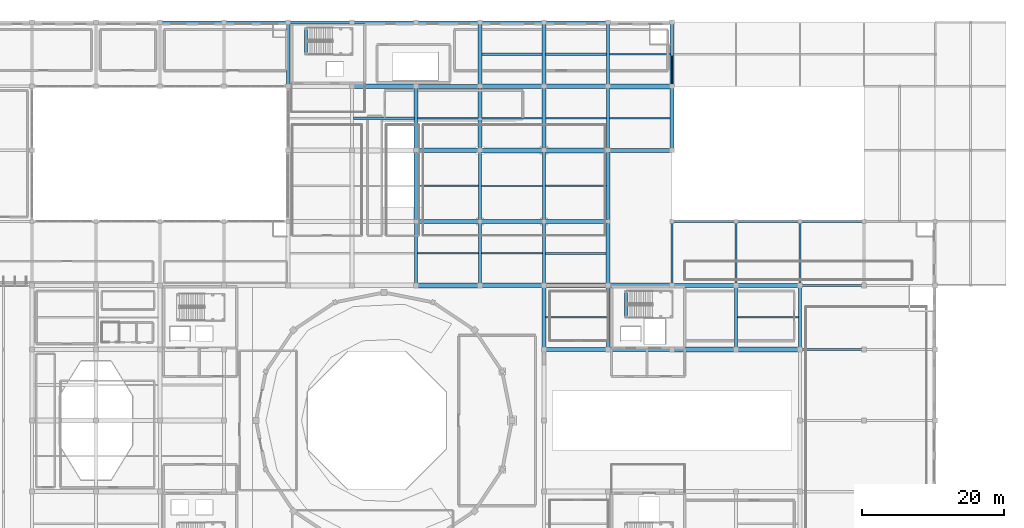
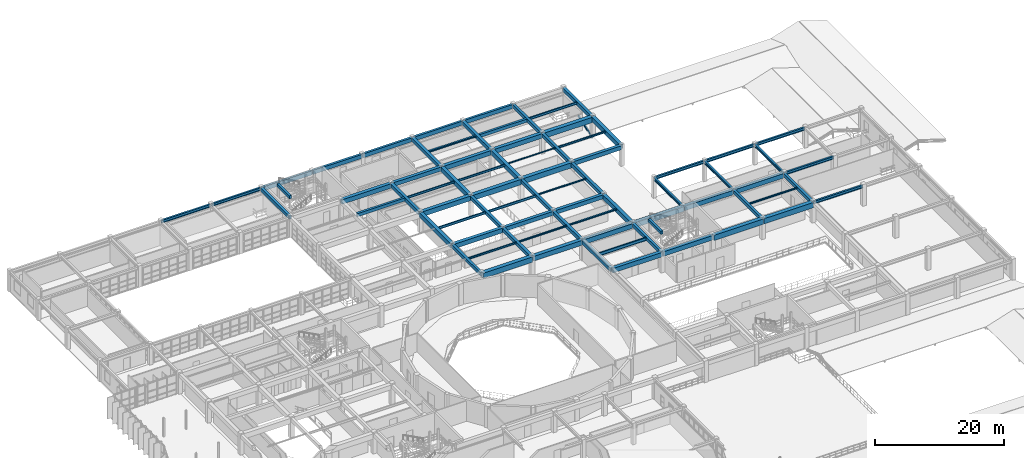
# One storey, part 70 of 110: 77 beams, 1 member.
"""IFC4 building model written with IfcOpenShell, lengths in metres."""

from ifc_helpers import new_model, si_unit, direction, frame, origin, origin_2d, place, context, subcontext, project, spatial, rectangle, i_section, extrude, material, material_profile, profile_set, type_object, element, save


model = new_model("IFC4")

# Units and contexts
model_context = context("Model", 3, precision=1e-05, world=origin(), true_north=direction((0.0, 1.0)))
body_context = subcontext(model_context, "Body", "Model", "MODEL_VIEW")
ifc_project = project(units=[si_unit("LENGTHUNIT", "METRE"), si_unit("AREAUNIT", "SQUARE_METRE"), si_unit("VOLUMEUNIT", "CUBIC_METRE"), si_unit("PLANEANGLEUNIT", "RADIAN"), si_unit("MASSUNIT", "GRAM", prefix="KILO")], contexts=[model_context])

# Site, building, storey
site_placement = place(None, origin())
site = spatial("IfcSite", under=ifc_project, at=site_placement, CompositionType="ELEMENT")
building_placement = place(site_placement, origin())
building = spatial("IfcBuilding", under=site, at=building_placement, Name="Miravela Opera House", CompositionType="ELEMENT")
storey_placement = place(building_placement, frame((0.0, 0.0, 13.60009765625)))
storey = spatial("IfcBuildingStorey", under=building, at=storey_placement, Name="L03", CompositionType="ELEMENT", Elevation=13.60009765625)

# Beams
ifc_material_1 = material(Name="Concrete C35/45", Category="concrete")
ifc_material_profile_1 = material_profile(ifc_material_1, rectangle(XDim=0.39990234375, YDim=0.60009765625, at=origin_2d()), Name="RC-BM-400X600")
ifc_profile_set_1 = profile_set([ifc_material_profile_1])
beam_type_1 = type_object("IfcBeamType", Name="STR-BM-RC400X600", PredefinedType="JOIST", material=ifc_profile_set_1)
beam_1_placement = place(storey_placement, frame((72.22509765625, 98.5, 3.539794921875), z_axis=(1.0, 0.0, 0.0), x_axis=(0.0, 1.0, 0.0)))
element("IfcBeam", 1, at=beam_1_placement, inside=storey, type_object=beam_type_1, Name="Secondary Floor Joist L03 9-10/K-L", PredefinedType="JOIST", context=body_context, shape_type="SweptSolid", body=[
    extrude(rectangle(XDim=0.39990234375, YDim=0.60009765625, at=origin_2d()), origin(), (0.0, 0.0, 1.0), 8.539794921875),
])
beam_2_placement = place(storey_placement, frame((99.235107421875, 107.5, 3.539794921875), z_axis=(1.0, 0.0, 0.0), x_axis=(0.0, 1.0, 0.0)))
element("IfcBeam", 2, at=beam_2_placement, inside=storey, type_object=beam_type_1, Name="Secondary Floor Joist L03 12-13/L-M", PredefinedType="JOIST", context=body_context, shape_type="SweptSolid", body=[
    extrude(rectangle(XDim=0.39990234375, YDim=0.60009765625, at=origin_2d()), origin(), (0.0, 0.0, 1.0), 8.554931640625),
])
for number, where, z_axis, x_axis, name in (
    (3, (110.5400390625, 70.39990234375, 3.77978515625), (0.0, 1.0, 0.0), (-1.0, 0.0, 0.0), "Stair K3 Opening Header Trimmer Beam 04"),
    (4, (65.5400390625, 107.39990234375, 3.77978515625), (0.0, 1.0, 0.0), (-1.0, 0.0, 0.0), "Stair K5 Opening Header Trimmer Beam 04"),
):
    element("IfcBeam", number, at=place(storey_placement, frame(where, z_axis=z_axis, x_axis=x_axis)), inside=storey, type_object=beam_type_1, Name=name, PredefinedType="JOIST", context=body_context, shape_type="SweptSolid", body=[
        extrude(rectangle(XDim=0.39990234375, YDim=0.60009765625, at=origin_2d()), origin(), (0.0, 0.0, 1.0), 3.880126953125),
    ])
ifc_material_profile_2 = material_profile(ifc_material_1, rectangle(XDim=0.449951171875, YDim=0.64990234375, at=origin_2d()), Name="RC-BM-450X650")
ifc_profile_set_2 = profile_set([ifc_material_profile_2])
beam_type_2 = type_object("IfcBeamType", Name="STR-BM-RC450X650", PredefinedType="BEAM", material=ifc_profile_set_2)
for number, where, z_axis, x_axis, name in (
    (5, (63.0, 103.080078125, 3.514892578125), (0.0, 1.0, 0.0), (-1.0, 0.0, 0.0), "Floor Girder L03 8/L-M"),
    (6, (81.0, 75.080078125, 3.48486328125), (0.0, 1.0, 0.0), (-1.0, 0.0, 0.0), "Floor Girder L03 10/I-J"),
):
    element("IfcBeam", number, at=place(storey_placement, frame(where, z_axis=z_axis, x_axis=x_axis)), inside=storey, type_object=beam_type_2, Name=name, PredefinedType="BEAM", context=body_context, shape_type="SweptSolid", body=[
        extrude(rectangle(XDim=0.449951171875, YDim=0.64990234375, at=origin_2d()), origin(), (0.0, 0.0, 1.0), 8.83984375),
    ])
for number, where, z_axis, x_axis, name in (
    (7, (90.0, 84.080078125, 3.48486328125), (0.0, 1.0, 0.0), (-1.0, 0.0, 0.0), "Floor Girder L03 11/J-K"),
    (8, (99.0, 84.080078125, 3.48486328125), (0.0, 1.0, 0.0), (-1.0, 0.0, 0.0), "Floor Girder L03 12/J-K"),
):
    element("IfcBeam", number, at=place(storey_placement, frame(where, z_axis=z_axis, x_axis=x_axis)), inside=storey, type_object=beam_type_2, Name=name, PredefinedType="BEAM", context=body_context, shape_type="SweptSolid", body=[
        extrude(rectangle(XDim=0.449951171875, YDim=0.64990234375, at=origin_2d()), origin(), (0.0, 0.0, 1.0), 9.83984375),
    ])
for number, where, z_axis, x_axis, name in (
    (9, (108.0, 66.080078125, 3.514892578125), (0.0, 1.0, 0.0), (-1.0, 0.0, 0.0), "Floor Girder L03 13/H-I"),
    (10, (108.0, 103.080078125, 3.514892578125), (0.0, 1.0, 0.0), (-1.0, 0.0, 0.0), "Floor Girder L03 13/L-M"),
    (11, (126.0, 66.080078125, 3.514892578125), (0.0, 1.0, 0.0), (-1.0, 0.0, 0.0), "Floor Girder L03 15/H-I"),
    (12, (135.0, 66.080078125, 3.514892578125), (0.0, 1.0, 0.0), (-1.0, 0.0, 0.0), "Floor Girder L03 16/H-I"),
):
    element("IfcBeam", number, at=place(storey_placement, frame(where, z_axis=z_axis, x_axis=x_axis)), inside=storey, type_object=beam_type_2, Name=name, PredefinedType="BEAM", context=body_context, shape_type="SweptSolid", body=[
        extrude(rectangle(XDim=0.449951171875, YDim=0.64990234375, at=origin_2d()), origin(), (0.0, 0.0, 1.0), 8.83984375),
    ])
ifc_material_profile_3 = material_profile(ifc_material_1, rectangle(XDim=0.47998046875, YDim=0.679931640625, at=origin_2d()), Name="RC-BM-480X680")
ifc_profile_set_3 = profile_set([ifc_material_profile_3])
beam_type_3 = type_object("IfcBeamType", Name="STR-BM-RC480X680", PredefinedType="BEAM", material=ifc_profile_set_3)
for number, where, z_axis, x_axis, name in (
    (13, (90.0, 75.080078125, 3.469970703125), (0.0, 1.0, 0.0), (-1.0, 0.0, 0.0), "Floor Girder L03 11/I-J"),
    (14, (99.0, 75.080078125, 3.469970703125), (0.0, 1.0, 0.0), (-1.0, 0.0, 0.0), "Floor Girder L03 12/I-J"),
    (15, (108.0, 94.080078125, 3.5), (0.0, 1.0, 0.0), (-1.0, 0.0, 0.0), "Floor Girder L03 13/K-L"),
):
    element("IfcBeam", number, at=place(storey_placement, frame(where, z_axis=z_axis, x_axis=x_axis)), inside=storey, type_object=beam_type_3, Name=name, PredefinedType="BEAM", context=body_context, shape_type="SweptSolid", body=[
        extrude(rectangle(XDim=0.47998046875, YDim=0.679931640625, at=origin_2d()), origin(), (0.0, 0.0, 1.0), 8.83984375),
    ])
ifc_material_profile_4 = material_profile(ifc_material_1, rectangle(XDim=0.5, YDim=0.699951171875, at=origin_2d()), Name="RC-BM-500X700")
ifc_profile_set_4 = profile_set([ifc_material_profile_4])
beam_type_4 = type_object("IfcBeamType", Name="STR-BM-RC500X700", PredefinedType="BEAM", material=ifc_profile_set_4)
for number, where, z_axis, x_axis, name in (
    (16, (81.0, 94.080078125, 3.489990234375), (0.0, 1.0, 0.0), (-1.0, 0.0, 0.0), "Floor Girder L03 10/K-L"),
    (17, (90.0, 103.080078125, 3.489990234375), (0.0, 1.0, 0.0), (-1.0, 0.0, 0.0), "Floor Girder L03 11/L-M"),
    (18, (99.0, 66.080078125, 3.489990234375), (0.0, 1.0, 0.0), (-1.0, 0.0, 0.0), "Floor Girder L03 12/H-I"),
    (19, (99.0, 103.080078125, 3.489990234375), (0.0, 1.0, 0.0), (-1.0, 0.0, 0.0), "Floor Girder L03 12/L-M"),
):
    element("IfcBeam", number, at=place(storey_placement, frame(where, z_axis=z_axis, x_axis=x_axis)), inside=storey, type_object=beam_type_4, Name=name, PredefinedType="BEAM", context=body_context, shape_type="SweptSolid", body=[
        extrude(rectangle(XDim=0.5, YDim=0.699951171875, at=origin_2d()), origin(), (0.0, 0.0, 1.0), 8.83984375),
    ])
beam_3_placement = place(storey_placement, frame((108.0, 84.080078125, 3.4599609375), z_axis=(0.0, 1.0, 0.0), x_axis=(-1.0, 0.0, 0.0)))
element("IfcBeam", 20, at=beam_3_placement, inside=storey, type_object=beam_type_4, Name="Floor Girder L03 13/J-K", PredefinedType="BEAM", context=body_context, shape_type="SweptSolid", body=[
    extrude(rectangle(XDim=0.5, YDim=0.699951171875, at=origin_2d()), origin(), (0.0, 0.0, 1.0), 9.83984375),
])
beam_4_placement = place(storey_placement, frame((117.0, 103.080078125, 3.489990234375), z_axis=(0.0, 1.0, 0.0), x_axis=(-1.0, 0.0, 0.0)))
element("IfcBeam", 21, at=beam_4_placement, inside=storey, type_object=beam_type_4, Name="Floor Girder L03 14/L-M", PredefinedType="BEAM", context=body_context, shape_type="SweptSolid", body=[
    extrude(rectangle(XDim=0.5, YDim=0.699951171875, at=origin_2d()), origin(), (0.0, 0.0, 1.0), 8.83984375),
])
ifc_material_profile_5 = material_profile(ifc_material_1, rectangle(XDim=0.550048828125, YDim=0.75, at=origin_2d()), Name="RC-BM-550X750")
ifc_profile_set_5 = profile_set([ifc_material_profile_5])
beam_type_5 = type_object("IfcBeamType", Name="STR-BM-RC550X750", PredefinedType="BEAM", material=ifc_profile_set_5)
for number, where, z_axis, x_axis, name in (
    (22, (81.080078125, 103.0, 3.46484375), (1.0, 0.0, 0.0), (0.0, 1.0, 0.0), "Floor Girder L03 10-11/L"),
    (23, (90.080078125, 84.0, 3.434814453125), (1.0, 0.0, 0.0), (0.0, 1.0, 0.0), "Floor Girder L03 11-12/J"),
    (24, (99.080078125, 84.0, 3.434814453125), (1.0, 0.0, 0.0), (0.0, 1.0, 0.0), "Floor Girder L03 12-13/J"),
    (25, (108.080078125, 94.0, 3.46484375), (1.0, 0.0, 0.0), (0.0, 1.0, 0.0), "Floor Girder L03 13-14/K"),
):
    element("IfcBeam", number, at=place(storey_placement, frame(where, z_axis=z_axis, x_axis=x_axis)), inside=storey, type_object=beam_type_5, Name=name, PredefinedType="BEAM", context=body_context, shape_type="SweptSolid", body=[
        extrude(rectangle(XDim=0.550048828125, YDim=0.75, at=origin_2d()), origin(), (0.0, 0.0, 1.0), 8.83984375),
    ])
ifc_material_2 = material(Name="Concrete C40/50", Category="concrete")
ifc_material_profile_6 = material_profile(ifc_material_2, rectangle(XDim=0.60009765625, YDim=0.85009765625, at=origin_2d()), Name="RC-BM-600X850")
ifc_profile_set_6 = profile_set([ifc_material_profile_6])
beam_type_6 = type_object("IfcBeamType", Name="STR-BM-RC600X850", PredefinedType="BEAM", material=ifc_profile_set_6)
for number, where, z_axis, x_axis, name in (
    (26, (72.080078125, 103.0, 3.414794921875), (1.0, 0.0, 0.0), (0.0, 1.0, 0.0), "Floor Girder L03 9-10/L"),
    (27, (81.080078125, 84.0, 3.385009765625), (1.0, 0.0, 0.0), (0.0, 1.0, 0.0), "Floor Girder L03 10-11/J"),
    (28, (90.080078125, 103.0, 3.414794921875), (1.0, 0.0, 0.0), (0.0, 1.0, 0.0), "Floor Girder L03 11-12/L"),
    (29, (99.080078125, 66.0, 3.414794921875), (1.0, 0.0, 0.0), (0.0, 1.0, 0.0), "Floor Girder L03 12-13/H"),
    (30, (99.080078125, 103.0, 3.414794921875), (1.0, 0.0, 0.0), (0.0, 1.0, 0.0), "Floor Girder L03 12-13/L"),
    (31, (108.080078125, 66.0, 3.414794921875), (1.0, 0.0, 0.0), (0.0, 1.0, 0.0), "Floor Girder L03 13-14/H"),
    (32, (117.080078125, 75.0, 3.414794921875), (1.0, 0.0, 0.0), (0.0, 1.0, 0.0), "Floor Girder L03 14-15/I"),
    (33, (126.080078125, 75.0, 3.414794921875), (1.0, 0.0, 0.0), (0.0, 1.0, 0.0), "Floor Girder L03 15-16/I"),
):
    element("IfcBeam", number, at=place(storey_placement, frame(where, z_axis=z_axis, x_axis=x_axis)), inside=storey, type_object=beam_type_6, Name=name, PredefinedType="BEAM", context=body_context, shape_type="SweptSolid", body=[
        extrude(rectangle(XDim=0.60009765625, YDim=0.85009765625, at=origin_2d()), origin(), (0.0, 0.0, 1.0), 8.83984375),
    ])
beam_5_placement = place(storey_placement, frame((81.0, 84.080078125, 3.385009765625), z_axis=(0.0, 1.0, 0.0), x_axis=(-1.0, 0.0, 0.0)))
element("IfcBeam", 34, at=beam_5_placement, inside=storey, type_object=beam_type_6, Name="Floor Girder L03 10/J-K", PredefinedType="BEAM", context=body_context, shape_type="SweptSolid", body=[
    extrude(rectangle(XDim=0.60009765625, YDim=0.85009765625, at=origin_2d()), origin(), (0.0, 0.0, 1.0), 9.83984375),
])
for number, where, z_axis, x_axis, name in (
    (35, (90.0, 94.080078125, 3.414794921875), (0.0, 1.0, 0.0), (-1.0, 0.0, 0.0), "Floor Girder L03 11/K-L"),
    (36, (99.0, 94.080078125, 3.414794921875), (0.0, 1.0, 0.0), (-1.0, 0.0, 0.0), "Floor Girder L03 12/K-L"),
    (37, (108.0, 75.080078125, 3.385009765625), (0.0, 1.0, 0.0), (-1.0, 0.0, 0.0), "Floor Girder L03 13/I-J"),
    (38, (117.0, 94.080078125, 3.414794921875), (0.0, 1.0, 0.0), (-1.0, 0.0, 0.0), "Floor Girder L03 14/K-L"),
):
    element("IfcBeam", number, at=place(storey_placement, frame(where, z_axis=z_axis, x_axis=x_axis)), inside=storey, type_object=beam_type_6, Name=name, PredefinedType="BEAM", context=body_context, shape_type="SweptSolid", body=[
        extrude(rectangle(XDim=0.60009765625, YDim=0.85009765625, at=origin_2d()), origin(), (0.0, 0.0, 1.0), 8.83984375),
    ])
ifc_material_profile_7 = material_profile(ifc_material_2, rectangle(XDim=0.64990234375, YDim=0.89990234375, at=origin_2d()), Name="RC-BM-650X900")
ifc_profile_set_7 = profile_set([ifc_material_profile_7])
beam_type_7 = type_object("IfcBeamType", Name="STR-BM-RC650X900", PredefinedType="BEAM", material=ifc_profile_set_7)
for number, where, z_axis, x_axis, name in (
    (39, (81.080078125, 94.0, 3.389892578125), (1.0, 0.0, 0.0), (0.0, 1.0, 0.0), "Floor Girder L03 10-11/K"),
    (40, (90.080078125, 75.0, 3.389892578125), (1.0, 0.0, 0.0), (0.0, 1.0, 0.0), "Floor Girder L03 11-12/I"),
    (41, (99.080078125, 75.0, 3.389892578125), (1.0, 0.0, 0.0), (0.0, 1.0, 0.0), "Floor Girder L03 12-13/I"),
    (42, (108.080078125, 75.0, 3.389892578125), (1.0, 0.0, 0.0), (0.0, 1.0, 0.0), "Floor Girder L03 13-14/I"),
):
    element("IfcBeam", number, at=place(storey_placement, frame(where, z_axis=z_axis, x_axis=x_axis)), inside=storey, type_object=beam_type_7, Name=name, PredefinedType="BEAM", context=body_context, shape_type="SweptSolid", body=[
        extrude(rectangle(XDim=0.64990234375, YDim=0.89990234375, at=origin_2d()), origin(), (0.0, 0.0, 1.0), 8.83984375),
    ])
ifc_material_profile_8 = material_profile(ifc_material_2, rectangle(XDim=0.699951171875, YDim=1.0, at=origin_2d()), Name="RC-BM-700X1000")
ifc_profile_set_8 = profile_set([ifc_material_profile_8])
beam_type_8 = type_object("IfcBeamType", Name="STR-BM-RC700X1000", PredefinedType="BEAM", material=ifc_profile_set_8)
for number, where, z_axis, x_axis, name in (
    (43, (81.080078125, 75.0, 3.33984375), (1.0, 0.0, 0.0), (0.0, 1.0, 0.0), "Floor Girder L03 10-11/I"),
    (44, (90.080078125, 94.0, 3.33984375), (1.0, 0.0, 0.0), (0.0, 1.0, 0.0), "Floor Girder L03 11-12/K"),
    (45, (99.080078125, 94.0, 3.33984375), (1.0, 0.0, 0.0), (0.0, 1.0, 0.0), "Floor Girder L03 12-13/K"),
    (46, (108.080078125, 103.0, 3.33984375), (1.0, 0.0, 0.0), (0.0, 1.0, 0.0), "Floor Girder L03 13-14/L"),
    (47, (117.080078125, 66.0, 3.33984375), (1.0, 0.0, 0.0), (0.0, 1.0, 0.0), "Floor Girder L03 14-15/H"),
    (48, (126.080078125, 66.0, 3.33984375), (1.0, 0.0, 0.0), (0.0, 1.0, 0.0), "Floor Girder L03 15-16/H"),
):
    element("IfcBeam", number, at=place(storey_placement, frame(where, z_axis=z_axis, x_axis=x_axis)), inside=storey, type_object=beam_type_8, Name=name, PredefinedType="BEAM", context=body_context, shape_type="SweptSolid", body=[
        extrude(rectangle(XDim=0.699951171875, YDim=1.0, at=origin_2d()), origin(), (0.0, 0.0, 1.0), 8.83984375),
    ])
ifc_material_3 = material(Name="Structural steel ASTM A992 Gr. 50", Category="steel")
ifc_material_profile_9 = material_profile(ifc_material_3, i_section(OverallWidth=0.1650390625, OverallDepth=0.200927734375, WebThickness=0.006103515625, FlangeThickness=0.01025390625, FilletRadius=0.010009765625, at=origin_2d()), Name="W200X36")
ifc_profile_set_9 = profile_set([ifc_material_profile_9])
beam_type_9 = type_object("IfcBeamType", Name="STR-BM-W200X36", PredefinedType="LINTEL", material=ifc_profile_set_9)
beam_6_placement = place(storey_placement, frame((99.284912109375, 98.5, 3.739501953125), z_axis=(1.0, 0.0, 0.0), x_axis=(0.0, 1.0, 0.0)))
element("IfcBeam", 49, at=beam_6_placement, inside=storey, type_object=beam_type_9, Name="Secondary Floor Joist L03 12-13/K-L", PredefinedType="LINTEL", context=body_context, shape_type="SweptSolid", body=[
    extrude(i_section(OverallWidth=0.1650390625, OverallDepth=0.200927734375, WebThickness=0.006103515625, FlangeThickness=0.01025390625, FilletRadius=0.010009765625, at=origin_2d()), origin(), (0.0, 0.0, 1.0), 8.489990234375),
])
ifc_material_profile_10 = material_profile(ifc_material_3, i_section(OverallWidth=0.201904296875, OverallDepth=0.2470703125, WebThickness=0.00732421875, FlangeThickness=0.010986328125, FilletRadius=0.011962890625, at=origin_2d()), Name="W250X49")
ifc_profile_set_10 = profile_set([ifc_material_profile_10])
beam_type_10 = type_object("IfcBeamType", Name="STR-BM-W250X49", PredefinedType="LINTEL", material=ifc_profile_set_10)
beam_7_placement = place(storey_placement, frame((99.2099609375, 89.0, 3.6865234375), z_axis=(1.0, 0.0, 0.0), x_axis=(0.0, 1.0, 0.0)))
element("IfcBeam", 50, at=beam_7_placement, inside=storey, type_object=beam_type_10, Name="Secondary Floor Joist L03 12-13/J-K", PredefinedType="LINTEL", context=body_context, shape_type="SweptSolid", body=[
    extrude(i_section(OverallWidth=0.201904296875, OverallDepth=0.2470703125, WebThickness=0.00732421875, FlangeThickness=0.010986328125, FilletRadius=0.011962890625, at=origin_2d()), origin(), (0.0, 0.0, 1.0), 8.554931640625),
])
ifc_material_profile_11 = material_profile(ifc_material_3, i_section(OverallWidth=0.25390625, OverallDepth=0.2529296875, WebThickness=0.008544921875, FlangeThickness=0.01416015625, FilletRadius=0.011962890625, at=origin_2d()), Name="W250X73")
ifc_profile_set_11 = profile_set([ifc_material_profile_11])
beam_type_11 = type_object("IfcBeamType", Name="STR-BM-W250X73", PredefinedType="JOIST", material=ifc_profile_set_11)
beam_8_placement = place(storey_placement, frame((99.22509765625, 79.5, 3.683349609375), z_axis=(1.0, 0.0, 0.0), x_axis=(0.0, 1.0, 0.0)))
element("IfcBeam", 51, at=beam_8_placement, inside=storey, type_object=beam_type_11, Name="Secondary Floor Joist L03 12-13/I-J", PredefinedType="JOIST", context=body_context, shape_type="SweptSolid", body=[
    extrude(i_section(OverallWidth=0.25390625, OverallDepth=0.2529296875, WebThickness=0.008544921875, FlangeThickness=0.01416015625, FilletRadius=0.011962890625, at=origin_2d()), origin(), (0.0, 0.0, 1.0), 8.489990234375),
])
ifc_material_profile_12 = material_profile(ifc_material_3, i_section(OverallWidth=0.202880859375, OverallDepth=0.302978515625, WebThickness=0.007568359375, FlangeThickness=0.01318359375, FilletRadius=0.012939453125, at=origin_2d()), Name="W310X60")
ifc_profile_set_12 = profile_set([ifc_material_profile_12])
beam_type_12 = type_object("IfcBeamType", Name="STR-BM-W310X60", PredefinedType="JOIST", material=ifc_profile_set_12)
beam_9_placement = place(storey_placement, frame((90.22509765625, 79.5, 3.658447265625), z_axis=(1.0, 0.0, 0.0), x_axis=(0.0, 1.0, 0.0)))
element("IfcBeam", 52, at=beam_9_placement, inside=storey, type_object=beam_type_12, Name="Secondary Floor Joist L03 11-12/I-J", PredefinedType="JOIST", context=body_context, shape_type="SweptSolid", body=[
    extrude(i_section(OverallWidth=0.202880859375, OverallDepth=0.302978515625, WebThickness=0.007568359375, FlangeThickness=0.01318359375, FilletRadius=0.012939453125, at=origin_2d()), origin(), (0.0, 0.0, 1.0), 8.5498046875),
])
beam_10_placement = place(storey_placement, frame((126.2099609375, 70.5, 3.6884765625), z_axis=(1.0, 0.0, 0.0), x_axis=(0.0, 1.0, 0.0)))
element("IfcBeam", 53, at=beam_10_placement, inside=storey, type_object=beam_type_12, Name="Secondary Floor Joist L03 15-16/H-I", PredefinedType="JOIST", context=body_context, shape_type="SweptSolid", body=[
    extrude(i_section(OverallWidth=0.202880859375, OverallDepth=0.302978515625, WebThickness=0.007568359375, FlangeThickness=0.01318359375, FilletRadius=0.012939453125, at=origin_2d()), origin(), (0.0, 0.0, 1.0), 8.580078125),
])
ifc_material_profile_13 = material_profile(ifc_material_3, i_section(OverallWidth=0.304931640625, OverallDepth=0.30810546875, WebThickness=0.010009765625, FlangeThickness=0.015380859375, FilletRadius=0.013916015625, at=origin_2d()), Name="W310X97")
ifc_profile_set_13 = profile_set([ifc_material_profile_13])
beam_type_13 = type_object("IfcBeamType", Name="STR-BM-W310X97", PredefinedType="JOIST", material=ifc_profile_set_13)
beam_11_placement = place(storey_placement, frame((90.235107421875, 107.5, 3.685791015625), z_axis=(1.0, 0.0, 0.0), x_axis=(0.0, 1.0, 0.0)))
element("IfcBeam", 54, at=beam_11_placement, inside=storey, type_object=beam_type_13, Name="Secondary Floor Joist L03 11-12/L-M", PredefinedType="JOIST", context=body_context, shape_type="SweptSolid", body=[
    extrude(i_section(OverallWidth=0.304931640625, OverallDepth=0.30810546875, WebThickness=0.010009765625, FlangeThickness=0.015380859375, FilletRadius=0.013916015625, at=origin_2d()), origin(), (0.0, 0.0, 1.0), 8.52978515625),
])
ifc_material_profile_14 = material_profile(ifc_material_3, i_section(OverallWidth=0.2041015625, OverallDepth=0.35009765625, WebThickness=0.008544921875, FlangeThickness=0.01513671875, FilletRadius=0.013916015625, at=origin_2d()), Name="W360X72")
ifc_profile_set_14 = profile_set([ifc_material_profile_14])
beam_type_14 = type_object("IfcBeamType", Name="STR-BM-W360X72", PredefinedType="JOIST", material=ifc_profile_set_14)
beam_12_placement = place(storey_placement, frame((81.2099609375, 79.5, 3.635009765625), z_axis=(1.0, 0.0, 0.0), x_axis=(0.0, 1.0, 0.0)))
element("IfcBeam", 55, at=beam_12_placement, inside=storey, type_object=beam_type_14, Name="Secondary Floor Joist L03 10-11/I-J", PredefinedType="JOIST", context=body_context, shape_type="SweptSolid", body=[
    extrude(i_section(OverallWidth=0.2041015625, OverallDepth=0.35009765625, WebThickness=0.008544921875, FlangeThickness=0.01513671875, FilletRadius=0.013916015625, at=origin_2d()), origin(), (0.0, 0.0, 1.0), 8.56494140625),
])
beam_13_placement = place(storey_placement, frame((108.22509765625, 98.5, 3.664794921875), z_axis=(1.0, 0.0, 0.0), x_axis=(0.0, 1.0, 0.0)))
element("IfcBeam", 56, at=beam_13_placement, inside=storey, type_object=beam_type_14, Name="Secondary Floor Joist L03 13-14/K-L", PredefinedType="JOIST", context=body_context, shape_type="SweptSolid", body=[
    extrude(i_section(OverallWidth=0.2041015625, OverallDepth=0.35009765625, WebThickness=0.008544921875, FlangeThickness=0.01513671875, FilletRadius=0.013916015625, at=origin_2d()), origin(), (0.0, 0.0, 1.0), 8.489990234375),
])
ifc_material_profile_15 = material_profile(ifc_material_3, i_section(OverallWidth=0.177978515625, OverallDepth=0.406982421875, WebThickness=0.0078125, FlangeThickness=0.0126953125, FilletRadius=0.012939453125, at=origin_2d()), Name="W410X60")
ifc_profile_set_15 = profile_set([ifc_material_profile_15])
beam_type_15 = type_object("IfcBeamType", Name="STR-BM-W410X60", PredefinedType="JOIST", material=ifc_profile_set_15)
beam_14_placement = place(storey_placement, frame((90.284912109375, 98.5, 3.636474609375), z_axis=(1.0, 0.0, 0.0), x_axis=(0.0, 1.0, 0.0)))
element("IfcBeam", 57, at=beam_14_placement, inside=storey, type_object=beam_type_15, Name="Secondary Floor Joist L03 11-12/K-L", PredefinedType="JOIST", context=body_context, shape_type="SweptSolid", body=[
    extrude(i_section(OverallWidth=0.177978515625, OverallDepth=0.406982421875, WebThickness=0.0078125, FlangeThickness=0.0126953125, FilletRadius=0.012939453125, at=origin_2d()), origin(), (0.0, 0.0, 1.0), 8.43017578125),
])
ifc_material_profile_16 = material_profile(ifc_material_3, i_section(OverallWidth=0.180908203125, OverallDepth=0.4169921875, WebThickness=0.010986328125, FlangeThickness=0.018310546875, FilletRadius=0.013916015625, at=origin_2d()), Name="W410X85")
ifc_profile_set_16 = profile_set([ifc_material_profile_16])
beam_type_16 = type_object("IfcBeamType", Name="STR-BM-W410X85", PredefinedType="JOIST", material=ifc_profile_set_16)
beam_15_placement = place(storey_placement, frame((81.235107421875, 98.5, 3.63134765625), z_axis=(1.0, 0.0, 0.0), x_axis=(0.0, 1.0, 0.0)))
element("IfcBeam", 58, at=beam_15_placement, inside=storey, type_object=beam_type_16, Name="Secondary Floor Joist L03 10-11/K-L", PredefinedType="JOIST", context=body_context, shape_type="SweptSolid", body=[
    extrude(i_section(OverallWidth=0.180908203125, OverallDepth=0.4169921875, WebThickness=0.010986328125, FlangeThickness=0.018310546875, FilletRadius=0.013916015625, at=origin_2d()), origin(), (0.0, 0.0, 1.0), 8.47998046875),
])
ifc_material_profile_17 = material_profile(ifc_material_3, i_section(OverallWidth=0.154052734375, OverallDepth=0.458984375, WebThickness=0.009033203125, FlangeThickness=0.015380859375, FilletRadius=0.013916015625, at=origin_2d()), Name="W460X68")
ifc_profile_set_17 = profile_set([ifc_material_profile_17])
beam_type_17 = type_object("IfcBeamType", Name="STR-BM-W460X68", PredefinedType="JOIST", material=ifc_profile_set_17)
beam_16_placement = place(storey_placement, frame((90.2099609375, 89.0, 3.580322265625), z_axis=(1.0, 0.0, 0.0), x_axis=(0.0, 1.0, 0.0)))
element("IfcBeam", 59, at=beam_16_placement, inside=storey, type_object=beam_type_17, Name="Secondary Floor Joist L03 11-12/J-K", PredefinedType="JOIST", context=body_context, shape_type="SweptSolid", body=[
    extrude(i_section(OverallWidth=0.154052734375, OverallDepth=0.458984375, WebThickness=0.009033203125, FlangeThickness=0.015380859375, FilletRadius=0.013916015625, at=origin_2d()), origin(), (0.0, 0.0, 1.0), 8.580078125),
])
ifc_material_profile_18 = material_profile(ifc_material_3, i_section(OverallWidth=0.19091796875, OverallDepth=0.4599609375, WebThickness=0.010009765625, FlangeThickness=0.01611328125, FilletRadius=0.014892578125, at=origin_2d()), Name="W460X82")
ifc_profile_set_18 = profile_set([ifc_material_profile_18])
beam_type_18 = type_object("IfcBeamType", Name="STR-BM-W460X82", PredefinedType="JOIST", material=ifc_profile_set_18)
beam_17_placement = place(storey_placement, frame((81.284912109375, 89.0, 3.579833984375), z_axis=(1.0, 0.0, 0.0), x_axis=(0.0, 1.0, 0.0)))
element("IfcBeam", 60, at=beam_17_placement, inside=storey, type_object=beam_type_18, Name="Secondary Floor Joist L03 10-11/J-K", PredefinedType="JOIST", context=body_context, shape_type="SweptSolid", body=[
    extrude(i_section(OverallWidth=0.19091796875, OverallDepth=0.4599609375, WebThickness=0.010009765625, FlangeThickness=0.01611328125, FilletRadius=0.014892578125, at=origin_2d()), origin(), (0.0, 0.0, 1.0), 8.505126953125),
])
beam_18_placement = place(storey_placement, frame((108.2099609375, 107.5, 3.60986328125), z_axis=(1.0, 0.0, 0.0), x_axis=(0.0, 1.0, 0.0)))
element("IfcBeam", 61, at=beam_18_placement, inside=storey, type_object=beam_type_18, Name="Secondary Floor Joist L03 13-14/L-M", PredefinedType="JOIST", context=body_context, shape_type="SweptSolid", body=[
    extrude(i_section(OverallWidth=0.19091796875, OverallDepth=0.4599609375, WebThickness=0.010009765625, FlangeThickness=0.01611328125, FilletRadius=0.014892578125, at=origin_2d()), origin(), (0.0, 0.0, 1.0), 8.554931640625),
])
ifc_material_profile_19 = material_profile(ifc_material_3, i_section(OverallWidth=0.31201171875, OverallDepth=0.54296875, WebThickness=0.0126953125, FlangeThickness=0.020263671875, FilletRadius=0.01611328125, at=origin_2d()), Name="W530X150")
ifc_profile_set_19 = profile_set([ifc_material_profile_19])
beam_type_19 = type_object("IfcBeamType", Name="STR-BM-W530X150", PredefinedType="BEAM", material=ifc_profile_set_19)
for number, where, z_axis, x_axis, name in (
    (62, (45.080078125, 112.0, 3.568359375), (1.0, 0.0, 0.0), (0.0, 1.0, 0.0), "Roof Eave Girder ROOF-V3-WEST-N N4"),
    (63, (54.080078125, 112.0, 3.568359375), (1.0, 0.0, 0.0), (0.0, 1.0, 0.0), "Roof Eave Girder ROOF-V3-WEST-N N5"),
    (64, (135.080078125, 75.0, 3.568359375), (1.0, 0.0, 0.0), (0.0, 1.0, 0.0), "Roof Eave Girder ROOF-V3-EAST-S S3"),
    (65, (117.080078125, 84.0, 3.568359375), (1.0, 0.0, 0.0), (0.0, 1.0, 0.0), "Roof Eave Girder ROOF-V3-EAST-S N1"),
    (66, (126.080078125, 84.0, 3.568359375), (1.0, 0.0, 0.0), (0.0, 1.0, 0.0), "Roof Eave Girder ROOF-V3-EAST-S N2"),
    (67, (135.080078125, 84.0, 3.568359375), (1.0, 0.0, 0.0), (0.0, 1.0, 0.0), "Roof Eave Girder ROOF-V3-EAST-S N3"),
    (68, (117.0, 75.080078125, 3.568359375), (0.0, 1.0, 0.0), (-1.0, 0.0, 0.0), "Roof King-Post Transverse Tie Girder ROOF-V3-EAST-S T0.1"),
    (69, (126.0, 75.080078125, 3.568359375), (0.0, 1.0, 0.0), (-1.0, 0.0, 0.0), "Roof King-Post Transverse Tie Girder ROOF-V3-EAST-S T1.1"),
    (70, (135.0, 75.080078125, 3.568359375), (0.0, 1.0, 0.0), (-1.0, 0.0, 0.0), "Roof King-Post Transverse Tie Girder ROOF-V3-EAST-S T2.1"),
    (71, (135.080078125, 66.0, 3.568359375), (1.0, 0.0, 0.0), (0.0, 1.0, 0.0), "Roof King-Post Transverse Tie Girder ROOF-V2-REAR T3.1"),
):
    element("IfcBeam", number, at=place(storey_placement, frame(where, z_axis=z_axis, x_axis=x_axis)), inside=storey, type_object=beam_type_19, Name=name, PredefinedType="BEAM", context=body_context, shape_type="SweptSolid", body=[
        extrude(i_section(OverallWidth=0.31201171875, OverallDepth=0.54296875, WebThickness=0.0126953125, FlangeThickness=0.020263671875, FilletRadius=0.01611328125, at=origin_2d()), origin(), (0.0, 0.0, 1.0), 8.83984375),
    ])
ifc_material_profile_20 = material_profile(ifc_material_3, i_section(OverallWidth=0.22802734375, OverallDepth=0.60791015625, WebThickness=0.01123046875, FlangeThickness=0.017333984375, FilletRadius=0.01611328125, at=origin_2d()), Name="W610X113")
ifc_profile_set_20 = profile_set([ifc_material_profile_20])
beam_type_20 = type_object("IfcBeamType", Name="STR-BM-W610X113", PredefinedType="BEAM", material=ifc_profile_set_20)
beam_19_placement = place(storey_placement, frame((99.235107421875, 70.5, 3.535888671875), z_axis=(1.0, 0.0, 0.0), x_axis=(0.0, 1.0, 0.0)))
element("IfcBeam", 72, at=beam_19_placement, inside=storey, type_object=beam_type_20, Name="Secondary Floor Joist L03 12-13/H-I", PredefinedType="BEAM", context=body_context, shape_type="SweptSolid", body=[
    extrude(i_section(OverallWidth=0.22802734375, OverallDepth=0.60791015625, WebThickness=0.01123046875, FlangeThickness=0.017333984375, FilletRadius=0.01611328125, at=origin_2d()), origin(), (0.0, 0.0, 1.0), 8.554931640625),
])

# Member
ifc_material_profile_21 = material_profile(ifc_material_3, i_section(OverallWidth=0.2041015625, OverallDepth=0.35009765625, WebThickness=0.008544921875, FlangeThickness=0.01513671875, FilletRadius=0.013916015625, at=origin_2d()), Name="W360X72")
ifc_profile_set_21 = profile_set([ifc_material_profile_21])
member_type = type_object("IfcMemberType", Name="STR-MEM-RAFTER-1", PredefinedType="RAFTER", material=ifc_profile_set_21)
member_placement = place(storey_placement, frame((117.0, 103.050048828125, -0.400146484375), z_axis=(0.0, 0.943687918104, 0.3308369889), x_axis=(-1.0, 0.0, 0.0)))
element("IfcMember", 73, at=member_placement, inside=storey, type_object=member_type, Name="Pitched Roof Rafter ROOF-V3-NE S0", PredefinedType="RAFTER", context=body_context, shape_type="SweptSolid", body=[
    extrude(i_section(OverallWidth=0.2041015625, OverallDepth=0.35009765625, WebThickness=0.008544921875, FlangeThickness=0.01513671875, FilletRadius=0.013916015625, at=origin_2d()), origin(), (0.0, 0.0, 1.0), 4.715576171875),
])

# Beams
ifc_material_profile_22 = material_profile(ifc_material_1, rectangle(XDim=0.39990234375, YDim=0.75, at=origin_2d()), Name="RC-SPN-400X750")
ifc_profile_set_22 = profile_set([ifc_material_profile_22])
beam_type_21 = type_object("IfcBeamType", Name="STR-SPN-RC400X750", PredefinedType="SPANDREL", material=ifc_profile_set_22)
for number, where, z_axis, x_axis, name in (
    (74, (63.080078125, 112.0, 3.46484375), (1.0, 0.0, 0.0), (0.0, 1.0, 0.0), "Floor Girder L03 8-9/M"),
    (75, (72.080078125, 112.0, 3.46484375), (1.0, 0.0, 0.0), (0.0, 1.0, 0.0), "Floor Girder L03 9-10/M"),
    (76, (81.080078125, 112.0, 3.46484375), (1.0, 0.0, 0.0), (0.0, 1.0, 0.0), "Floor Girder L03 10-11/M"),
    (77, (90.080078125, 112.0, 3.46484375), (1.0, 0.0, 0.0), (0.0, 1.0, 0.0), "Floor Girder L03 11-12/M"),
    (78, (99.080078125, 112.0, 3.46484375), (1.0, 0.0, 0.0), (0.0, 1.0, 0.0), "Floor Girder L03 12-13/M"),
):
    element("IfcBeam", number, at=place(storey_placement, frame(where, z_axis=z_axis, x_axis=x_axis)), inside=storey, type_object=beam_type_21, Name=name, PredefinedType="SPANDREL", context=body_context, shape_type="SweptSolid", body=[
        extrude(rectangle(XDim=0.39990234375, YDim=0.75, at=origin_2d()), origin(), (0.0, 0.0, 1.0), 8.83984375),
    ])

save(model, "model.ifc")
